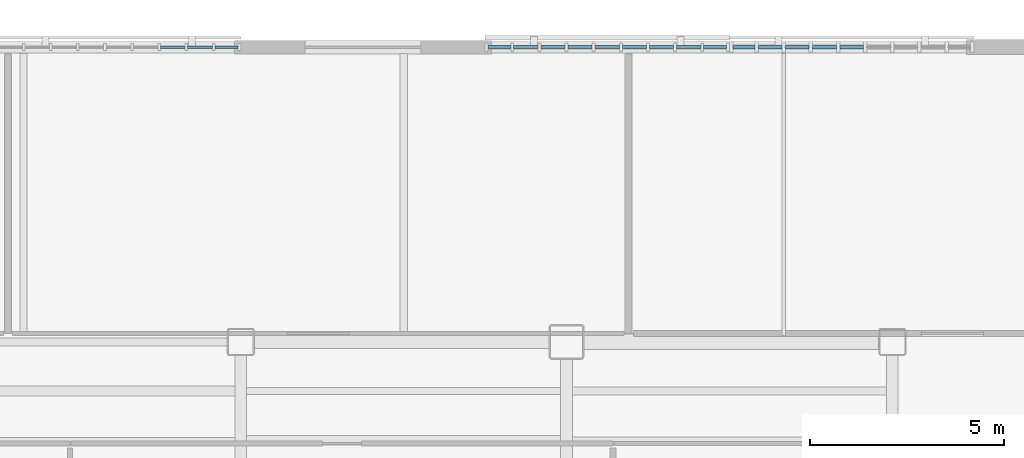
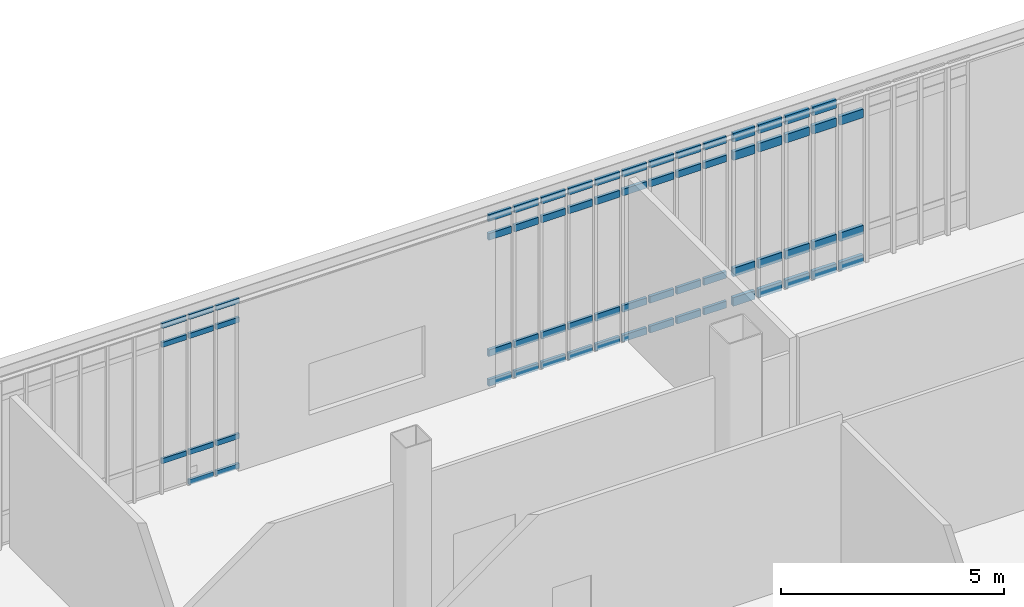
# One storey, part 60 of 127: 66 members, 3 elements without a shape of their own.
"""IFC4 building model written with IfcOpenShell, lengths in metres."""

from ifc_helpers import new_model, si_unit, direction, frame, origin, origin_2d, place, context, subcontext, project, spatial, rectangle, extrude, material, material_profile, profile_set, type_object, element, aggregate, save


model = new_model("IFC4")

# Units and contexts
model_context = context("Model", 3, precision=1e-05, world=origin(), true_north=direction((0.0, 1.0)))
body_context = subcontext(model_context, "Body", "Model", "MODEL_VIEW")
ifc_project = project(units=[si_unit("LENGTHUNIT", "METRE"), si_unit("AREAUNIT", "SQUARE_METRE"), si_unit("VOLUMEUNIT", "CUBIC_METRE"), si_unit("PLANEANGLEUNIT", "RADIAN"), si_unit("MASSUNIT", "GRAM", prefix="KILO")], contexts=[model_context])

# Site, building, storey
site_placement = place(None, origin())
site = spatial("IfcSite", under=ifc_project, at=site_placement, CompositionType="ELEMENT")
building_placement = place(site_placement, origin())
building = spatial("IfcBuilding", under=site, at=building_placement, Name="Larkvane Passage Sports Hall", CompositionType="ELEMENT")
storey_placement = place(building_placement, frame((0.0, 0.0, 5.39990234375)))
storey = spatial("IfcBuildingStorey", under=building, at=storey_placement, Name="L01", CompositionType="ELEMENT", Elevation=5.39990234375)

# Curtain wall, members
ifc_material_1 = material(Name="Thermally broken aluminium and low-E glazing", Category="aluminium")
curtain_wall_type_1 = type_object("IfcCurtainWallType", Name="CW-UNIT-COURT", PredefinedType="USERDEFINED", material=ifc_material_1)
curtain_wall_1_placement = place(storey_placement, origin())
curtain_wall_1 = element("IfcCurtainWall", 1, at=curtain_wall_1_placement, inside=storey, type_object=curtain_wall_type_1, Name="Curtain wall CW5-L01-040", ObjectType="UNITISED CURTAIN WALL", PredefinedType="USERDEFINED")
ifc_material_2 = material(Name="Anodised aluminium 6063-T6", Category="aluminium")
ifc_material_profile_1 = material_profile(ifc_material_2, rectangle(XDim=0.06494140625, YDim=0.139892578125, at=origin_2d()), Name="ALU-TRN-65x140")
ifc_profile_set_1 = profile_set([ifc_material_profile_1], Name="Anodised aluminium 6063-T6")
member_type_1 = type_object("IfcMemberType", Name="CW-TRN-65x140", PredefinedType="USERDEFINED", material=ifc_profile_set_1)
member_1_placement = place(storey_placement, frame((57.9326171875, 99.199951171875, 0.85009765625), z_axis=(1.0, 0.0, 0.0), x_axis=(0.0, 1.0, 0.0)))
member_1 = element("IfcMember", 2, at=member_1_placement, type_object=member_type_1, Name="CW-01 transom 7.2", ObjectType="TRANSOM", PredefinedType="USERDEFINED", context=body_context, shape_type="SweptSolid", body=[
    extrude(rectangle(XDim=0.06494140625, YDim=0.139892578125, at=origin_2d()), origin(), (0.0, 0.0, 1.0), 0.634765625),
])
member_2_placement = place(storey_placement, frame((57.9326171875, 99.199951171875, 4.028076171875), z_axis=(1.0, 0.0, 0.0), x_axis=(0.0, 1.0, 0.0)))
member_2 = element("IfcMember", 3, at=member_2_placement, type_object=member_type_1, Name="CW-01 transom 7.3", ObjectType="TRANSOM", PredefinedType="USERDEFINED", context=body_context, shape_type="SweptSolid", body=[
    extrude(rectangle(XDim=0.06494140625, YDim=0.139892578125, at=origin_2d()), origin(), (0.0, 0.0, 1.0), 0.634765625),
])
member_3_placement = place(storey_placement, frame((57.9326171875, 99.199951171875, 4.545654296875), z_axis=(1.0, 0.0, 0.0), x_axis=(0.0, 1.0, 0.0)))
member_3 = element("IfcMember", 4, at=member_3_placement, type_object=member_type_1, Name="CW-01 transom 7.4", ObjectType="TRANSOM", PredefinedType="USERDEFINED", context=body_context, shape_type="SweptSolid", body=[
    extrude(rectangle(XDim=0.06494140625, YDim=0.139892578125, at=origin_2d()), origin(), (0.0, 0.0, 1.0), 0.634765625),
])
member_4_placement = place(storey_placement, frame((58.632568359375, 99.199951171875, 0.03271484375), z_axis=(1.0, 0.0, 0.0), x_axis=(0.0, 1.0, 0.0)))
member_4 = element("IfcMember", 5, at=member_4_placement, type_object=member_type_1, Name="CW-01 transom 8.1", ObjectType="TRANSOM", PredefinedType="USERDEFINED", context=body_context, shape_type="SweptSolid", body=[
    extrude(rectangle(XDim=0.06494140625, YDim=0.139892578125, at=origin_2d()), origin(), (0.0, 0.0, 1.0), 0.635009765625),
])
member_5_placement = place(storey_placement, frame((58.632568359375, 99.199951171875, 0.85009765625), z_axis=(1.0, 0.0, 0.0), x_axis=(0.0, 1.0, 0.0)))
member_5 = element("IfcMember", 6, at=member_5_placement, type_object=member_type_1, Name="CW-01 transom 8.2", ObjectType="TRANSOM", PredefinedType="USERDEFINED", context=body_context, shape_type="SweptSolid", body=[
    extrude(rectangle(XDim=0.06494140625, YDim=0.139892578125, at=origin_2d()), origin(), (0.0, 0.0, 1.0), 0.635009765625),
])
member_6_placement = place(storey_placement, frame((58.632568359375, 99.199951171875, 4.028076171875), z_axis=(1.0, 0.0, 0.0), x_axis=(0.0, 1.0, 0.0)))
member_6 = element("IfcMember", 7, at=member_6_placement, type_object=member_type_1, Name="CW-01 transom 8.3", ObjectType="TRANSOM", PredefinedType="USERDEFINED", context=body_context, shape_type="SweptSolid", body=[
    extrude(rectangle(XDim=0.06494140625, YDim=0.139892578125, at=origin_2d()), origin(), (0.0, 0.0, 1.0), 0.635009765625),
])
member_7_placement = place(storey_placement, frame((58.632568359375, 99.199951171875, 4.545654296875), z_axis=(1.0, 0.0, 0.0), x_axis=(0.0, 1.0, 0.0)))
member_7 = element("IfcMember", 8, at=member_7_placement, type_object=member_type_1, Name="CW-01 transom 8.4", ObjectType="TRANSOM", PredefinedType="USERDEFINED", context=body_context, shape_type="SweptSolid", body=[
    extrude(rectangle(XDim=0.06494140625, YDim=0.139892578125, at=origin_2d()), origin(), (0.0, 0.0, 1.0), 0.635009765625),
])
member_8_placement = place(storey_placement, frame((59.33251953125, 99.199951171875, 0.03271484375), z_axis=(1.0, 0.0, 0.0), x_axis=(0.0, 1.0, 0.0)))
member_8 = element("IfcMember", 9, at=member_8_placement, type_object=member_type_1, Name="CW-01 transom 9.1", ObjectType="TRANSOM", PredefinedType="USERDEFINED", context=body_context, shape_type="SweptSolid", body=[
    extrude(rectangle(XDim=0.06494140625, YDim=0.139892578125, at=origin_2d()), origin(), (0.0, 0.0, 1.0), 0.6025390625),
])
member_9_placement = place(storey_placement, frame((59.33251953125, 99.199951171875, 0.85009765625), z_axis=(1.0, 0.0, 0.0), x_axis=(0.0, 1.0, 0.0)))
member_9 = element("IfcMember", 10, at=member_9_placement, type_object=member_type_1, Name="CW-01 transom 9.2", ObjectType="TRANSOM", PredefinedType="USERDEFINED", context=body_context, shape_type="SweptSolid", body=[
    extrude(rectangle(XDim=0.06494140625, YDim=0.139892578125, at=origin_2d()), origin(), (0.0, 0.0, 1.0), 0.6025390625),
])
member_10_placement = place(storey_placement, frame((59.33251953125, 99.199951171875, 4.028076171875), z_axis=(1.0, 0.0, 0.0), x_axis=(0.0, 1.0, 0.0)))
member_10 = element("IfcMember", 11, at=member_10_placement, type_object=member_type_1, Name="CW-01 transom 9.3", ObjectType="TRANSOM", PredefinedType="USERDEFINED", context=body_context, shape_type="SweptSolid", body=[
    extrude(rectangle(XDim=0.06494140625, YDim=0.139892578125, at=origin_2d()), origin(), (0.0, 0.0, 1.0), 0.6025390625),
])
member_11_placement = place(storey_placement, frame((59.33251953125, 99.199951171875, 4.545654296875), z_axis=(1.0, 0.0, 0.0), x_axis=(0.0, 1.0, 0.0)))
member_11 = element("IfcMember", 12, at=member_11_placement, type_object=member_type_1, Name="CW-01 transom 9.4", ObjectType="TRANSOM", PredefinedType="USERDEFINED", context=body_context, shape_type="SweptSolid", body=[
    extrude(rectangle(XDim=0.06494140625, YDim=0.139892578125, at=origin_2d()), origin(), (0.0, 0.0, 1.0), 0.6025390625),
])
aggregate(curtain_wall_1, [member_1, member_2, member_3, member_4, member_5, member_6, member_7, member_8, member_9, member_10, member_11])

curtain_wall_type_2 = type_object("IfcCurtainWallType", Name="CW-UNIT-VEIL", PredefinedType="USERDEFINED", material=ifc_material_1)
curtain_wall_2_placement = place(storey_placement, origin())
curtain_wall_2 = element("IfcCurtainWall", 13, at=curtain_wall_2_placement, inside=storey, type_object=curtain_wall_type_2, Name="Curtain wall CW5-L01-041", ObjectType="UNITISED CURTAIN WALL", PredefinedType="USERDEFINED")
ifc_material_profile_2 = material_profile(ifc_material_2, rectangle(XDim=0.074951171875, YDim=0.18505859375, at=origin_2d()), Name="ALU-TRN-75x185")
ifc_profile_set_2 = profile_set([ifc_material_profile_2], Name="Anodised aluminium 6063-T6")
member_type_2 = type_object("IfcMemberType", Name="CW-TRN-75x185", PredefinedType="USERDEFINED", material=ifc_profile_set_2)
member_12_placement = place(storey_placement, frame((66.375, 99.199951171875, 0.03759765625), z_axis=(1.0, 0.0, 0.0), x_axis=(0.0, 1.0, 0.0)))
member_12 = element("IfcMember", 14, at=member_12_placement, type_object=member_type_2, Name="CW-02 transom 1.1", ObjectType="TRANSOM", PredefinedType="USERDEFINED", context=body_context, shape_type="SweptSolid", body=[
    extrude(rectangle(XDim=0.074951171875, YDim=0.18505859375, at=origin_2d()), origin(), (0.0, 0.0, 1.0), 0.58740234375),
])
member_13_placement = place(storey_placement, frame((66.375, 99.199951171875, 0.85009765625), z_axis=(1.0, 0.0, 0.0), x_axis=(0.0, 1.0, 0.0)))
member_13 = element("IfcMember", 15, at=member_13_placement, type_object=member_type_2, Name="CW-02 transom 1.2", ObjectType="TRANSOM", PredefinedType="USERDEFINED", context=body_context, shape_type="SweptSolid", body=[
    extrude(rectangle(XDim=0.074951171875, YDim=0.18505859375, at=origin_2d()), origin(), (0.0, 0.0, 1.0), 0.58740234375),
])
member_14_placement = place(storey_placement, frame((66.375, 99.199951171875, 4.028076171875), z_axis=(1.0, 0.0, 0.0), x_axis=(0.0, 1.0, 0.0)))
member_14 = element("IfcMember", 16, at=member_14_placement, type_object=member_type_2, Name="CW-02 transom 1.3", ObjectType="TRANSOM", PredefinedType="USERDEFINED", context=body_context, shape_type="SweptSolid", body=[
    extrude(rectangle(XDim=0.074951171875, YDim=0.18505859375, at=origin_2d()), origin(), (0.0, 0.0, 1.0), 0.58740234375),
])
member_15_placement = place(storey_placement, frame((66.375, 99.199951171875, 4.54052734375), z_axis=(1.0, 0.0, 0.0), x_axis=(0.0, 1.0, 0.0)))
member_15 = element("IfcMember", 17, at=member_15_placement, type_object=member_type_2, Name="CW-02 transom 1.4", ObjectType="TRANSOM", PredefinedType="USERDEFINED", context=body_context, shape_type="SweptSolid", body=[
    extrude(rectangle(XDim=0.074951171875, YDim=0.18505859375, at=origin_2d()), origin(), (0.0, 0.0, 1.0), 0.58740234375),
])
member_16_placement = place(storey_placement, frame((67.03759765625, 99.199951171875, 0.03759765625), z_axis=(1.0, 0.0, 0.0), x_axis=(0.0, 1.0, 0.0)))
member_16 = element("IfcMember", 18, at=member_16_placement, type_object=member_type_2, Name="CW-02 transom 2.1", ObjectType="TRANSOM", PredefinedType="USERDEFINED", context=body_context, shape_type="SweptSolid", body=[
    extrude(rectangle(XDim=0.074951171875, YDim=0.18505859375, at=origin_2d()), origin(), (0.0, 0.0, 1.0), 0.625),
])
member_17_placement = place(storey_placement, frame((67.03759765625, 99.199951171875, 0.85009765625), z_axis=(1.0, 0.0, 0.0), x_axis=(0.0, 1.0, 0.0)))
member_17 = element("IfcMember", 19, at=member_17_placement, type_object=member_type_2, Name="CW-02 transom 2.2", ObjectType="TRANSOM", PredefinedType="USERDEFINED", context=body_context, shape_type="SweptSolid", body=[
    extrude(rectangle(XDim=0.074951171875, YDim=0.18505859375, at=origin_2d()), origin(), (0.0, 0.0, 1.0), 0.625),
])
member_18_placement = place(storey_placement, frame((67.03759765625, 99.199951171875, 4.028076171875), z_axis=(1.0, 0.0, 0.0), x_axis=(0.0, 1.0, 0.0)))
member_18 = element("IfcMember", 20, at=member_18_placement, type_object=member_type_2, Name="CW-02 transom 2.3", ObjectType="TRANSOM", PredefinedType="USERDEFINED", context=body_context, shape_type="SweptSolid", body=[
    extrude(rectangle(XDim=0.074951171875, YDim=0.18505859375, at=origin_2d()), origin(), (0.0, 0.0, 1.0), 0.625),
])
member_19_placement = place(storey_placement, frame((67.03759765625, 99.199951171875, 4.54052734375), z_axis=(1.0, 0.0, 0.0), x_axis=(0.0, 1.0, 0.0)))
member_19 = element("IfcMember", 21, at=member_19_placement, type_object=member_type_2, Name="CW-02 transom 2.4", ObjectType="TRANSOM", PredefinedType="USERDEFINED", context=body_context, shape_type="SweptSolid", body=[
    extrude(rectangle(XDim=0.074951171875, YDim=0.18505859375, at=origin_2d()), origin(), (0.0, 0.0, 1.0), 0.625),
])
member_20_placement = place(storey_placement, frame((67.737548828125, 99.199951171875, 0.03759765625), z_axis=(1.0, 0.0, 0.0), x_axis=(0.0, 1.0, 0.0)))
member_20 = element("IfcMember", 22, at=member_20_placement, type_object=member_type_2, Name="CW-02 transom 3.1", ObjectType="TRANSOM", PredefinedType="USERDEFINED", context=body_context, shape_type="SweptSolid", body=[
    extrude(rectangle(XDim=0.074951171875, YDim=0.18505859375, at=origin_2d()), origin(), (0.0, 0.0, 1.0), 0.625),
])
member_21_placement = place(storey_placement, frame((67.737548828125, 99.199951171875, 0.85009765625), z_axis=(1.0, 0.0, 0.0), x_axis=(0.0, 1.0, 0.0)))
member_21 = element("IfcMember", 23, at=member_21_placement, type_object=member_type_2, Name="CW-02 transom 3.2", ObjectType="TRANSOM", PredefinedType="USERDEFINED", context=body_context, shape_type="SweptSolid", body=[
    extrude(rectangle(XDim=0.074951171875, YDim=0.18505859375, at=origin_2d()), origin(), (0.0, 0.0, 1.0), 0.625),
])
member_22_placement = place(storey_placement, frame((67.737548828125, 99.199951171875, 4.028076171875), z_axis=(1.0, 0.0, 0.0), x_axis=(0.0, 1.0, 0.0)))
member_22 = element("IfcMember", 24, at=member_22_placement, type_object=member_type_2, Name="CW-02 transom 3.3", ObjectType="TRANSOM", PredefinedType="USERDEFINED", context=body_context, shape_type="SweptSolid", body=[
    extrude(rectangle(XDim=0.074951171875, YDim=0.18505859375, at=origin_2d()), origin(), (0.0, 0.0, 1.0), 0.625),
])
member_23_placement = place(storey_placement, frame((67.737548828125, 99.199951171875, 4.54052734375), z_axis=(1.0, 0.0, 0.0), x_axis=(0.0, 1.0, 0.0)))
member_23 = element("IfcMember", 25, at=member_23_placement, type_object=member_type_2, Name="CW-02 transom 3.4", ObjectType="TRANSOM", PredefinedType="USERDEFINED", context=body_context, shape_type="SweptSolid", body=[
    extrude(rectangle(XDim=0.074951171875, YDim=0.18505859375, at=origin_2d()), origin(), (0.0, 0.0, 1.0), 0.625),
])
member_24_placement = place(storey_placement, frame((68.4375, 99.199951171875, 0.03759765625), z_axis=(1.0, 0.0, 0.0), x_axis=(0.0, 1.0, 0.0)))
member_24 = element("IfcMember", 26, at=member_24_placement, type_object=member_type_2, Name="CW-02 transom 4.1", ObjectType="TRANSOM", PredefinedType="USERDEFINED", context=body_context, shape_type="SweptSolid", body=[
    extrude(rectangle(XDim=0.074951171875, YDim=0.18505859375, at=origin_2d()), origin(), (0.0, 0.0, 1.0), 0.625),
])
member_25_placement = place(storey_placement, frame((68.4375, 99.199951171875, 0.85009765625), z_axis=(1.0, 0.0, 0.0), x_axis=(0.0, 1.0, 0.0)))
member_25 = element("IfcMember", 27, at=member_25_placement, type_object=member_type_2, Name="CW-02 transom 4.2", ObjectType="TRANSOM", PredefinedType="USERDEFINED", context=body_context, shape_type="SweptSolid", body=[
    extrude(rectangle(XDim=0.074951171875, YDim=0.18505859375, at=origin_2d()), origin(), (0.0, 0.0, 1.0), 0.625),
])
member_26_placement = place(storey_placement, frame((68.4375, 99.199951171875, 4.028076171875), z_axis=(1.0, 0.0, 0.0), x_axis=(0.0, 1.0, 0.0)))
member_26 = element("IfcMember", 28, at=member_26_placement, type_object=member_type_2, Name="CW-02 transom 4.3", ObjectType="TRANSOM", PredefinedType="USERDEFINED", context=body_context, shape_type="SweptSolid", body=[
    extrude(rectangle(XDim=0.074951171875, YDim=0.18505859375, at=origin_2d()), origin(), (0.0, 0.0, 1.0), 0.625),
])
member_27_placement = place(storey_placement, frame((68.4375, 99.199951171875, 4.54052734375), z_axis=(1.0, 0.0, 0.0), x_axis=(0.0, 1.0, 0.0)))
member_27 = element("IfcMember", 29, at=member_27_placement, type_object=member_type_2, Name="CW-02 transom 4.4", ObjectType="TRANSOM", PredefinedType="USERDEFINED", context=body_context, shape_type="SweptSolid", body=[
    extrude(rectangle(XDim=0.074951171875, YDim=0.18505859375, at=origin_2d()), origin(), (0.0, 0.0, 1.0), 0.625),
])
member_28_placement = place(storey_placement, frame((69.137451171875, 99.199951171875, 0.03759765625), z_axis=(1.0, 0.0, 0.0), x_axis=(0.0, 1.0, 0.0)))
member_28 = element("IfcMember", 30, at=member_28_placement, type_object=member_type_2, Name="CW-02 transom 5.1", ObjectType="TRANSOM", PredefinedType="USERDEFINED", context=body_context, shape_type="SweptSolid", body=[
    extrude(rectangle(XDim=0.074951171875, YDim=0.18505859375, at=origin_2d()), origin(), (0.0, 0.0, 1.0), 0.625),
])
member_29_placement = place(storey_placement, frame((69.137451171875, 99.199951171875, 0.85009765625), z_axis=(1.0, 0.0, 0.0), x_axis=(0.0, 1.0, 0.0)))
member_29 = element("IfcMember", 31, at=member_29_placement, type_object=member_type_2, Name="CW-02 transom 5.2", ObjectType="TRANSOM", PredefinedType="USERDEFINED", context=body_context, shape_type="SweptSolid", body=[
    extrude(rectangle(XDim=0.074951171875, YDim=0.18505859375, at=origin_2d()), origin(), (0.0, 0.0, 1.0), 0.625),
])
member_30_placement = place(storey_placement, frame((69.137451171875, 99.199951171875, 4.028076171875), z_axis=(1.0, 0.0, 0.0), x_axis=(0.0, 1.0, 0.0)))
member_30 = element("IfcMember", 32, at=member_30_placement, type_object=member_type_2, Name="CW-02 transom 5.3", ObjectType="TRANSOM", PredefinedType="USERDEFINED", context=body_context, shape_type="SweptSolid", body=[
    extrude(rectangle(XDim=0.074951171875, YDim=0.18505859375, at=origin_2d()), origin(), (0.0, 0.0, 1.0), 0.625),
])
member_31_placement = place(storey_placement, frame((69.137451171875, 99.199951171875, 4.54052734375), z_axis=(1.0, 0.0, 0.0), x_axis=(0.0, 1.0, 0.0)))
member_31 = element("IfcMember", 33, at=member_31_placement, type_object=member_type_2, Name="CW-02 transom 5.4", ObjectType="TRANSOM", PredefinedType="USERDEFINED", context=body_context, shape_type="SweptSolid", body=[
    extrude(rectangle(XDim=0.074951171875, YDim=0.18505859375, at=origin_2d()), origin(), (0.0, 0.0, 1.0), 0.625),
])
member_32_placement = place(storey_placement, frame((69.83740234375, 99.199951171875, 0.03759765625), z_axis=(1.0, 0.0, 0.0), x_axis=(0.0, 1.0, 0.0)))
member_32 = element("IfcMember", 34, at=member_32_placement, type_object=member_type_2, Name="CW-02 transom 6.1", ObjectType="TRANSOM", PredefinedType="USERDEFINED", context=body_context, shape_type="SweptSolid", body=[
    extrude(rectangle(XDim=0.074951171875, YDim=0.18505859375, at=origin_2d()), origin(), (0.0, 0.0, 1.0), 0.625),
])
member_33_placement = place(storey_placement, frame((69.83740234375, 99.199951171875, 0.85009765625), z_axis=(1.0, 0.0, 0.0), x_axis=(0.0, 1.0, 0.0)))
member_33 = element("IfcMember", 35, at=member_33_placement, type_object=member_type_2, Name="CW-02 transom 6.2", ObjectType="TRANSOM", PredefinedType="USERDEFINED", context=body_context, shape_type="SweptSolid", body=[
    extrude(rectangle(XDim=0.074951171875, YDim=0.18505859375, at=origin_2d()), origin(), (0.0, 0.0, 1.0), 0.625),
])
member_34_placement = place(storey_placement, frame((69.83740234375, 99.199951171875, 4.028076171875), z_axis=(1.0, 0.0, 0.0), x_axis=(0.0, 1.0, 0.0)))
member_34 = element("IfcMember", 36, at=member_34_placement, type_object=member_type_2, Name="CW-02 transom 6.3", ObjectType="TRANSOM", PredefinedType="USERDEFINED", context=body_context, shape_type="SweptSolid", body=[
    extrude(rectangle(XDim=0.074951171875, YDim=0.18505859375, at=origin_2d()), origin(), (0.0, 0.0, 1.0), 0.625),
])
member_35_placement = place(storey_placement, frame((69.83740234375, 99.199951171875, 4.54052734375), z_axis=(1.0, 0.0, 0.0), x_axis=(0.0, 1.0, 0.0)))
member_35 = element("IfcMember", 37, at=member_35_placement, type_object=member_type_2, Name="CW-02 transom 6.4", ObjectType="TRANSOM", PredefinedType="USERDEFINED", context=body_context, shape_type="SweptSolid", body=[
    extrude(rectangle(XDim=0.074951171875, YDim=0.18505859375, at=origin_2d()), origin(), (0.0, 0.0, 1.0), 0.625),
])
member_36_placement = place(storey_placement, frame((70.53759765625, 99.199951171875, 0.03759765625), z_axis=(1.0, 0.0, 0.0), x_axis=(0.0, 1.0, 0.0)))
member_36 = element("IfcMember", 38, at=member_36_placement, type_object=member_type_2, Name="CW-02 transom 7.1", ObjectType="TRANSOM", PredefinedType="USERDEFINED", context=body_context, shape_type="SweptSolid", body=[
    extrude(rectangle(XDim=0.074951171875, YDim=0.18505859375, at=origin_2d()), origin(), (0.0, 0.0, 1.0), 0.625),
])
member_37_placement = place(storey_placement, frame((70.53759765625, 99.199951171875, 0.85009765625), z_axis=(1.0, 0.0, 0.0), x_axis=(0.0, 1.0, 0.0)))
member_37 = element("IfcMember", 39, at=member_37_placement, type_object=member_type_2, Name="CW-02 transom 7.2", ObjectType="TRANSOM", PredefinedType="USERDEFINED", context=body_context, shape_type="SweptSolid", body=[
    extrude(rectangle(XDim=0.074951171875, YDim=0.18505859375, at=origin_2d()), origin(), (0.0, 0.0, 1.0), 0.625),
])
member_38_placement = place(storey_placement, frame((70.53759765625, 99.199951171875, 4.028076171875), z_axis=(1.0, 0.0, 0.0), x_axis=(0.0, 1.0, 0.0)))
member_38 = element("IfcMember", 40, at=member_38_placement, type_object=member_type_2, Name="CW-02 transom 7.3", ObjectType="TRANSOM", PredefinedType="USERDEFINED", context=body_context, shape_type="SweptSolid", body=[
    extrude(rectangle(XDim=0.074951171875, YDim=0.18505859375, at=origin_2d()), origin(), (0.0, 0.0, 1.0), 0.625),
])
member_39_placement = place(storey_placement, frame((70.53759765625, 99.199951171875, 4.54052734375), z_axis=(1.0, 0.0, 0.0), x_axis=(0.0, 1.0, 0.0)))
member_39 = element("IfcMember", 41, at=member_39_placement, type_object=member_type_2, Name="CW-02 transom 7.4", ObjectType="TRANSOM", PredefinedType="USERDEFINED", context=body_context, shape_type="SweptSolid", body=[
    extrude(rectangle(XDim=0.074951171875, YDim=0.18505859375, at=origin_2d()), origin(), (0.0, 0.0, 1.0), 0.625),
])
member_40_placement = place(storey_placement, frame((71.237548828125, 99.199951171875, 0.03759765625), z_axis=(1.0, 0.0, 0.0), x_axis=(0.0, 1.0, 0.0)))
member_40 = element("IfcMember", 42, at=member_40_placement, type_object=member_type_2, Name="CW-02 transom 8.1", ObjectType="TRANSOM", PredefinedType="USERDEFINED", context=body_context, shape_type="SweptSolid", body=[
    extrude(rectangle(XDim=0.074951171875, YDim=0.18505859375, at=origin_2d()), origin(), (0.0, 0.0, 1.0), 0.625),
])
member_41_placement = place(storey_placement, frame((71.237548828125, 99.199951171875, 0.85009765625), z_axis=(1.0, 0.0, 0.0), x_axis=(0.0, 1.0, 0.0)))
member_41 = element("IfcMember", 43, at=member_41_placement, type_object=member_type_2, Name="CW-02 transom 8.2", ObjectType="TRANSOM", PredefinedType="USERDEFINED", context=body_context, shape_type="SweptSolid", body=[
    extrude(rectangle(XDim=0.074951171875, YDim=0.18505859375, at=origin_2d()), origin(), (0.0, 0.0, 1.0), 0.625),
])
member_42_placement = place(storey_placement, frame((71.237548828125, 99.199951171875, 4.028076171875), z_axis=(1.0, 0.0, 0.0), x_axis=(0.0, 1.0, 0.0)))
member_42 = element("IfcMember", 44, at=member_42_placement, type_object=member_type_2, Name="CW-02 transom 8.3", ObjectType="TRANSOM", PredefinedType="USERDEFINED", context=body_context, shape_type="SweptSolid", body=[
    extrude(rectangle(XDim=0.074951171875, YDim=0.18505859375, at=origin_2d()), origin(), (0.0, 0.0, 1.0), 0.625),
])
member_43_placement = place(storey_placement, frame((71.237548828125, 99.199951171875, 4.54052734375), z_axis=(1.0, 0.0, 0.0), x_axis=(0.0, 1.0, 0.0)))
member_43 = element("IfcMember", 45, at=member_43_placement, type_object=member_type_2, Name="CW-02 transom 8.4", ObjectType="TRANSOM", PredefinedType="USERDEFINED", context=body_context, shape_type="SweptSolid", body=[
    extrude(rectangle(XDim=0.074951171875, YDim=0.18505859375, at=origin_2d()), origin(), (0.0, 0.0, 1.0), 0.625),
])
member_44_placement = place(storey_placement, frame((71.9375, 99.199951171875, 0.03759765625), z_axis=(1.0, 0.0, 0.0), x_axis=(0.0, 1.0, 0.0)))
member_44 = element("IfcMember", 46, at=member_44_placement, type_object=member_type_2, Name="CW-02 transom 9.1", ObjectType="TRANSOM", PredefinedType="USERDEFINED", context=body_context, shape_type="SweptSolid", body=[
    extrude(rectangle(XDim=0.074951171875, YDim=0.18505859375, at=origin_2d()), origin(), (0.0, 0.0, 1.0), 0.58740234375),
])
member_45_placement = place(storey_placement, frame((71.9375, 99.199951171875, 0.85009765625), z_axis=(1.0, 0.0, 0.0), x_axis=(0.0, 1.0, 0.0)))
member_45 = element("IfcMember", 47, at=member_45_placement, type_object=member_type_2, Name="CW-02 transom 9.2", ObjectType="TRANSOM", PredefinedType="USERDEFINED", context=body_context, shape_type="SweptSolid", body=[
    extrude(rectangle(XDim=0.074951171875, YDim=0.18505859375, at=origin_2d()), origin(), (0.0, 0.0, 1.0), 0.58740234375),
])
member_46_placement = place(storey_placement, frame((71.9375, 99.199951171875, 4.028076171875), z_axis=(1.0, 0.0, 0.0), x_axis=(0.0, 1.0, 0.0)))
member_46 = element("IfcMember", 48, at=member_46_placement, type_object=member_type_2, Name="CW-02 transom 9.3", ObjectType="TRANSOM", PredefinedType="USERDEFINED", context=body_context, shape_type="SweptSolid", body=[
    extrude(rectangle(XDim=0.074951171875, YDim=0.18505859375, at=origin_2d()), origin(), (0.0, 0.0, 1.0), 0.58740234375),
])
member_47_placement = place(storey_placement, frame((71.9375, 99.199951171875, 4.54052734375), z_axis=(1.0, 0.0, 0.0), x_axis=(0.0, 1.0, 0.0)))
member_47 = element("IfcMember", 49, at=member_47_placement, type_object=member_type_2, Name="CW-02 transom 9.4", ObjectType="TRANSOM", PredefinedType="USERDEFINED", context=body_context, shape_type="SweptSolid", body=[
    extrude(rectangle(XDim=0.074951171875, YDim=0.18505859375, at=origin_2d()), origin(), (0.0, 0.0, 1.0), 0.58740234375),
])
aggregate(curtain_wall_2, [member_12, member_13, member_14, member_15, member_16, member_17, member_18, member_19, member_20, member_21, member_22, member_23, member_24, member_25, member_26, member_27, member_28, member_29, member_30, member_31, member_32, member_33, member_34, member_35, member_36, member_37, member_38, member_39, member_40, member_41, member_42, member_43, member_44, member_45, member_46, member_47])

curtain_wall_type_3 = type_object("IfcCurtainWallType", Name="CW-STICK-FOYER", PredefinedType="USERDEFINED", material=ifc_material_1)
curtain_wall_3_placement = place(storey_placement, origin())
curtain_wall_3 = element("IfcCurtainWall", 50, at=curtain_wall_3_placement, inside=storey, type_object=curtain_wall_type_3, Name="Curtain wall CW5-L01-042", ObjectType="STICK CURTAIN WALL", PredefinedType="USERDEFINED")
ifc_material_profile_3 = material_profile(ifc_material_2, rectangle(XDim=0.090087890625, YDim=0.235107421875, at=origin_2d()), Name="ALU-TRN-90x235")
ifc_profile_set_3 = profile_set([ifc_material_profile_3], Name="Anodised aluminium 6063-T6")
member_type_3 = type_object("IfcMemberType", Name="CW-TRN-90x235", PredefinedType="USERDEFINED", material=ifc_profile_set_3)
member_48_placement = place(storey_placement, frame((72.68994140625, 99.199951171875, 0.045166015625), z_axis=(1.0, 0.0, 0.0), x_axis=(0.0, 1.0, 0.0)))
member_48 = element("IfcMember", 51, at=member_48_placement, type_object=member_type_3, Name="CW-03 transom 1.1", ObjectType="TRANSOM", PredefinedType="USERDEFINED", context=body_context, shape_type="SweptSolid", body=[
    extrude(rectangle(XDim=0.090087890625, YDim=0.235107421875, at=origin_2d()), origin(), (0.0, 0.0, 1.0), 0.56494140625),
])
member_49_placement = place(storey_placement, frame((72.68994140625, 99.199951171875, 0.85009765625), z_axis=(1.0, 0.0, 0.0), x_axis=(0.0, 1.0, 0.0)))
member_49 = element("IfcMember", 52, at=member_49_placement, type_object=member_type_3, Name="CW-03 transom 1.2", ObjectType="TRANSOM", PredefinedType="USERDEFINED", context=body_context, shape_type="SweptSolid", body=[
    extrude(rectangle(XDim=0.090087890625, YDim=0.235107421875, at=origin_2d()), origin(), (0.0, 0.0, 1.0), 0.56494140625),
])
member_50_placement = place(storey_placement, frame((72.68994140625, 99.199951171875, 4.028076171875), z_axis=(1.0, 0.0, 0.0), x_axis=(0.0, 1.0, 0.0)))
member_50 = element("IfcMember", 53, at=member_50_placement, type_object=member_type_3, Name="CW-03 transom 1.3", ObjectType="TRANSOM", PredefinedType="USERDEFINED", context=body_context, shape_type="SweptSolid", body=[
    extrude(rectangle(XDim=0.090087890625, YDim=0.235107421875, at=origin_2d()), origin(), (0.0, 0.0, 1.0), 0.56494140625),
])
member_51_placement = place(storey_placement, frame((72.68994140625, 99.199951171875, 4.533203125), z_axis=(1.0, 0.0, 0.0), x_axis=(0.0, 1.0, 0.0)))
member_51 = element("IfcMember", 54, at=member_51_placement, type_object=member_type_3, Name="CW-03 transom 1.4", ObjectType="TRANSOM", PredefinedType="USERDEFINED", context=body_context, shape_type="SweptSolid", body=[
    extrude(rectangle(XDim=0.090087890625, YDim=0.235107421875, at=origin_2d()), origin(), (0.0, 0.0, 1.0), 0.56494140625),
])
member_52_placement = place(storey_placement, frame((73.344970703125, 99.199951171875, 0.045166015625), z_axis=(1.0, 0.0, 0.0), x_axis=(0.0, 1.0, 0.0)))
member_52 = element("IfcMember", 55, at=member_52_placement, type_object=member_type_3, Name="CW-03 transom 2.1", ObjectType="TRANSOM", PredefinedType="USERDEFINED", context=body_context, shape_type="SweptSolid", body=[
    extrude(rectangle(XDim=0.090087890625, YDim=0.235107421875, at=origin_2d()), origin(), (0.0, 0.0, 1.0), 0.610107421875),
])
member_53_placement = place(storey_placement, frame((73.344970703125, 99.199951171875, 0.85009765625), z_axis=(1.0, 0.0, 0.0), x_axis=(0.0, 1.0, 0.0)))
member_53 = element("IfcMember", 56, at=member_53_placement, type_object=member_type_3, Name="CW-03 transom 2.2", ObjectType="TRANSOM", PredefinedType="USERDEFINED", context=body_context, shape_type="SweptSolid", body=[
    extrude(rectangle(XDim=0.090087890625, YDim=0.235107421875, at=origin_2d()), origin(), (0.0, 0.0, 1.0), 0.610107421875),
])
member_54_placement = place(storey_placement, frame((73.344970703125, 99.199951171875, 4.028076171875), z_axis=(1.0, 0.0, 0.0), x_axis=(0.0, 1.0, 0.0)))
member_54 = element("IfcMember", 57, at=member_54_placement, type_object=member_type_3, Name="CW-03 transom 2.3", ObjectType="TRANSOM", PredefinedType="USERDEFINED", context=body_context, shape_type="SweptSolid", body=[
    extrude(rectangle(XDim=0.090087890625, YDim=0.235107421875, at=origin_2d()), origin(), (0.0, 0.0, 1.0), 0.610107421875),
])
member_55_placement = place(storey_placement, frame((73.344970703125, 99.199951171875, 4.533203125), z_axis=(1.0, 0.0, 0.0), x_axis=(0.0, 1.0, 0.0)))
member_55 = element("IfcMember", 58, at=member_55_placement, type_object=member_type_3, Name="CW-03 transom 2.4", ObjectType="TRANSOM", PredefinedType="USERDEFINED", context=body_context, shape_type="SweptSolid", body=[
    extrude(rectangle(XDim=0.090087890625, YDim=0.235107421875, at=origin_2d()), origin(), (0.0, 0.0, 1.0), 0.610107421875),
])
member_56_placement = place(storey_placement, frame((74.044921875, 99.199951171875, 0.045166015625), z_axis=(1.0, 0.0, 0.0), x_axis=(0.0, 1.0, 0.0)))
member_56 = element("IfcMember", 59, at=member_56_placement, type_object=member_type_3, Name="CW-03 transom 3.1", ObjectType="TRANSOM", PredefinedType="USERDEFINED", context=body_context, shape_type="SweptSolid", body=[
    extrude(rectangle(XDim=0.090087890625, YDim=0.235107421875, at=origin_2d()), origin(), (0.0, 0.0, 1.0), 0.610107421875),
])
member_57_placement = place(storey_placement, frame((74.044921875, 99.199951171875, 0.85009765625), z_axis=(1.0, 0.0, 0.0), x_axis=(0.0, 1.0, 0.0)))
member_57 = element("IfcMember", 60, at=member_57_placement, type_object=member_type_3, Name="CW-03 transom 3.2", ObjectType="TRANSOM", PredefinedType="USERDEFINED", context=body_context, shape_type="SweptSolid", body=[
    extrude(rectangle(XDim=0.090087890625, YDim=0.235107421875, at=origin_2d()), origin(), (0.0, 0.0, 1.0), 0.610107421875),
])
member_58_placement = place(storey_placement, frame((74.044921875, 99.199951171875, 4.028076171875), z_axis=(1.0, 0.0, 0.0), x_axis=(0.0, 1.0, 0.0)))
member_58 = element("IfcMember", 61, at=member_58_placement, type_object=member_type_3, Name="CW-03 transom 3.3", ObjectType="TRANSOM", PredefinedType="USERDEFINED", context=body_context, shape_type="SweptSolid", body=[
    extrude(rectangle(XDim=0.090087890625, YDim=0.235107421875, at=origin_2d()), origin(), (0.0, 0.0, 1.0), 0.610107421875),
])
member_59_placement = place(storey_placement, frame((74.044921875, 99.199951171875, 4.533203125), z_axis=(1.0, 0.0, 0.0), x_axis=(0.0, 1.0, 0.0)))
member_59 = element("IfcMember", 62, at=member_59_placement, type_object=member_type_3, Name="CW-03 transom 3.4", ObjectType="TRANSOM", PredefinedType="USERDEFINED", context=body_context, shape_type="SweptSolid", body=[
    extrude(rectangle(XDim=0.090087890625, YDim=0.235107421875, at=origin_2d()), origin(), (0.0, 0.0, 1.0), 0.610107421875),
])
member_60_placement = place(storey_placement, frame((74.7451171875, 99.199951171875, 0.045166015625), z_axis=(1.0, 0.0, 0.0), x_axis=(0.0, 1.0, 0.0)))
member_60 = element("IfcMember", 63, at=member_60_placement, type_object=member_type_3, Name="CW-03 transom 4.1", ObjectType="TRANSOM", PredefinedType="USERDEFINED", context=body_context, shape_type="SweptSolid", body=[
    extrude(rectangle(XDim=0.090087890625, YDim=0.235107421875, at=origin_2d()), origin(), (0.0, 0.0, 1.0), 0.60986328125),
])
member_61_placement = place(storey_placement, frame((74.7451171875, 99.199951171875, 0.85009765625), z_axis=(1.0, 0.0, 0.0), x_axis=(0.0, 1.0, 0.0)))
member_61 = element("IfcMember", 64, at=member_61_placement, type_object=member_type_3, Name="CW-03 transom 4.2", ObjectType="TRANSOM", PredefinedType="USERDEFINED", context=body_context, shape_type="SweptSolid", body=[
    extrude(rectangle(XDim=0.090087890625, YDim=0.235107421875, at=origin_2d()), origin(), (0.0, 0.0, 1.0), 0.60986328125),
])
member_62_placement = place(storey_placement, frame((74.7451171875, 99.199951171875, 4.028076171875), z_axis=(1.0, 0.0, 0.0), x_axis=(0.0, 1.0, 0.0)))
member_62 = element("IfcMember", 65, at=member_62_placement, type_object=member_type_3, Name="CW-03 transom 4.3", ObjectType="TRANSOM", PredefinedType="USERDEFINED", context=body_context, shape_type="SweptSolid", body=[
    extrude(rectangle(XDim=0.090087890625, YDim=0.235107421875, at=origin_2d()), origin(), (0.0, 0.0, 1.0), 0.60986328125),
])
member_63_placement = place(storey_placement, frame((74.7451171875, 99.199951171875, 4.533203125), z_axis=(1.0, 0.0, 0.0), x_axis=(0.0, 1.0, 0.0)))
member_63 = element("IfcMember", 66, at=member_63_placement, type_object=member_type_3, Name="CW-03 transom 4.4", ObjectType="TRANSOM", PredefinedType="USERDEFINED", context=body_context, shape_type="SweptSolid", body=[
    extrude(rectangle(XDim=0.090087890625, YDim=0.235107421875, at=origin_2d()), origin(), (0.0, 0.0, 1.0), 0.60986328125),
])
member_64_placement = place(storey_placement, frame((75.445068359375, 99.199951171875, 0.045166015625), z_axis=(1.0, 0.0, 0.0), x_axis=(0.0, 1.0, 0.0)))
member_64 = element("IfcMember", 67, at=member_64_placement, type_object=member_type_3, Name="CW-03 transom 5.1", ObjectType="TRANSOM", PredefinedType="USERDEFINED", context=body_context, shape_type="SweptSolid", body=[
    extrude(rectangle(XDim=0.090087890625, YDim=0.235107421875, at=origin_2d()), origin(), (0.0, 0.0, 1.0), 0.60986328125),
])
member_65_placement = place(storey_placement, frame((75.445068359375, 99.199951171875, 0.85009765625), z_axis=(1.0, 0.0, 0.0), x_axis=(0.0, 1.0, 0.0)))
member_65 = element("IfcMember", 68, at=member_65_placement, type_object=member_type_3, Name="CW-03 transom 5.2", ObjectType="TRANSOM", PredefinedType="USERDEFINED", context=body_context, shape_type="SweptSolid", body=[
    extrude(rectangle(XDim=0.090087890625, YDim=0.235107421875, at=origin_2d()), origin(), (0.0, 0.0, 1.0), 0.60986328125),
])
member_66_placement = place(storey_placement, frame((75.445068359375, 99.199951171875, 4.028076171875), z_axis=(1.0, 0.0, 0.0), x_axis=(0.0, 1.0, 0.0)))
member_66 = element("IfcMember", 69, at=member_66_placement, type_object=member_type_3, Name="CW-03 transom 5.3", ObjectType="TRANSOM", PredefinedType="USERDEFINED", context=body_context, shape_type="SweptSolid", body=[
    extrude(rectangle(XDim=0.090087890625, YDim=0.235107421875, at=origin_2d()), origin(), (0.0, 0.0, 1.0), 0.60986328125),
])
aggregate(curtain_wall_3, [member_48, member_49, member_50, member_51, member_52, member_53, member_54, member_55, member_56, member_57, member_58, member_59, member_60, member_61, member_62, member_63, member_64, member_65, member_66])

save(model, "model.ifc")
